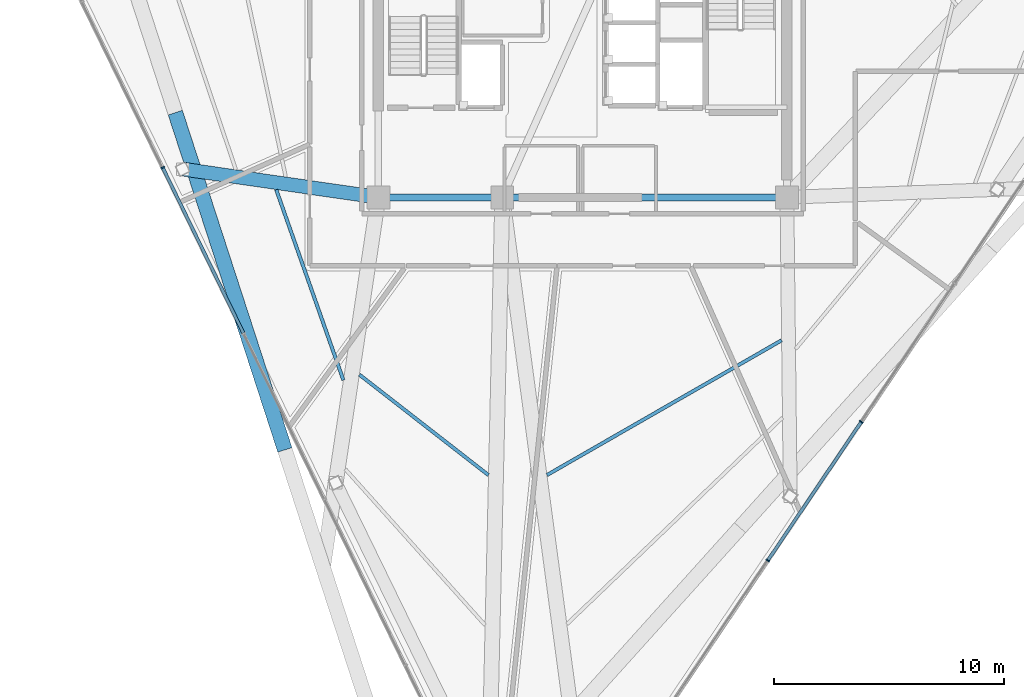
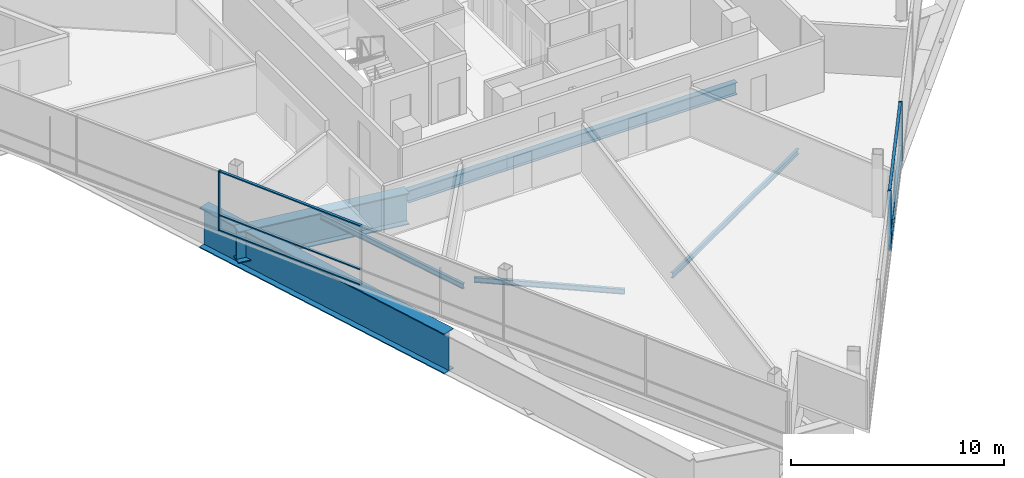
# One storey, part 3 of 14: 9 members, 7 beams, 2 elements without a shape of their own.
"""IFC4 building model written with IfcOpenShell, lengths in metres."""

from ifc_helpers import new_model, si_unit, direction, frame, origin, origin_2d, place, context, subcontext, project, spatial, rectangle, i_section, extrude, material, layer, layer_set, material_profile, profile_set, type_object, element, aggregate, save


model = new_model("IFC4")

# Units and contexts
model_context = context("Model", 3, precision=1e-05, world=origin(), true_north=direction((0.0, 1.0)))
body_context = subcontext(model_context, "Body", "Model", "MODEL_VIEW")
ifc_project = project(units=[si_unit("LENGTHUNIT", "METRE"), si_unit("AREAUNIT", "SQUARE_METRE"), si_unit("VOLUMEUNIT", "CUBIC_METRE"), si_unit("PLANEANGLEUNIT", "RADIAN"), si_unit("MASSUNIT", "GRAM", prefix="KILO")], contexts=[model_context])

# Site, building, storey
site_placement = place(None, origin())
site = spatial("IfcSite", under=ifc_project, at=site_placement, CompositionType="ELEMENT")
building_placement = place(site_placement, origin())
building = spatial("IfcBuilding", under=site, at=building_placement, Name="Tharavind Bronze Gate", CompositionType="ELEMENT")
storey_placement = place(building_placement, frame((0.0, 0.0, 227.050048828125)))
storey = spatial("IfcBuildingStorey", under=building, at=storey_placement, Name="L58", CompositionType="ELEMENT", Elevation=227.050048828125)

# Curtain wall, member
ifc_material_1 = material(Name="Anodised Bronze Aluminium", Category="aluminium")
ifc_layer = layer(ifc_material_1, 0.219970703125)
ifc_layer_set = layer_set([ifc_layer], Name="Anodised Bronze Aluminium")
curtain_wall_type = type_object("IfcCurtainWallType", Name="UNITISED CURTAIN WALL UPPER OFFICE", PredefinedType="USERDEFINED", material=ifc_layer_set)
curtain_wall_1_placement = place(storey_placement, origin())
curtain_wall_1 = element("IfcCurtainWall", 1, at=curtain_wall_1_placement, inside=storey, type_object=curtain_wall_type, Name="L58 unitised curtain wall upper office CW-L58-S1", ObjectType="UNITISED CURTAIN WALL", PredefinedType="USERDEFINED")
member_type_1 = type_object("IfcMemberType", Name="CURTAIN WALL BRONZE MULLION 65X180", PredefinedType="MULLION", material=ifc_material_1)
member_1_placement = place(storey_placement, frame((-18.289794921875, -6.308349609375, 0.0), z_axis=(0.0, 0.0, 1.0), x_axis=(0.438371146789, -0.898794046299, 0.0)))
member_1 = element("IfcMember", 2, at=member_1_placement, type_object=member_type_1, Name="CW-L58-S1 mullion 3", PredefinedType="MULLION", context=body_context, shape_type="SweptSolid", body=[
    extrude(rectangle(XDim=0.06494140625, YDim=0.179931640625, at=origin_2d()), origin(), (0.0, 0.0, 1.0), 3.419921875),
])

# Curtain wall, members
curtain_wall_2_placement = place(storey_placement, origin())
curtain_wall_2 = element("IfcCurtainWall", 3, at=curtain_wall_2_placement, inside=storey, type_object=curtain_wall_type, Name="L58 unitised curtain wall upper office CW-L58-S2", ObjectType="UNITISED CURTAIN WALL", PredefinedType="USERDEFINED")
member_2_placement = place(storey_placement, frame((8.06787109375, -23.4189453125, 0.0), z_axis=(0.0, 0.0, 1.0), x_axis=(0.559192903471, 0.829037572555, 0.0)))
member_2 = element("IfcMember", 4, at=member_2_placement, type_object=member_type_1, Name="CW-L58-S2 mullion 3", PredefinedType="MULLION", context=body_context, shape_type="SweptSolid", body=[
    extrude(rectangle(XDim=0.06494140625, YDim=0.179931640625, at=origin_2d()), origin(), (0.0, 0.0, 1.0), 3.419921875),
])
member_3_placement = place(storey_placement, frame((12.140380859375, -17.381103515625, 0.0), z_axis=(0.0, 0.0, 1.0), x_axis=(0.559192903471, 0.829037572555, 0.0)))
member_3 = element("IfcMember", 5, at=member_3_placement, type_object=member_type_1, Name="CW-L58-S2 mullion 4", PredefinedType="MULLION", context=body_context, shape_type="SweptSolid", body=[
    extrude(rectangle(XDim=0.06494140625, YDim=0.179931640625, at=origin_2d()), origin(), (0.0, 0.0, 1.0), 3.419921875),
])

# Member
member_type_2 = type_object("IfcMemberType", Name="CURTAIN WALL BRONZE TRANSOM 65X140", PredefinedType="USERDEFINED", material=ifc_material_1)
member_4_placement = place(storey_placement, frame((-16.528076171875, -9.920654296875, 0.0), z_axis=(0.0, 0.0, 1.0), x_axis=(0.438371146789, -0.898794046299, 0.0)))
member_4 = element("IfcMember", 6, at=member_4_placement, type_object=member_type_2, Name="CW-L58-S1 transom TB3", ObjectType="TRANSOM", PredefinedType="USERDEFINED", context=body_context, shape_type="SweptSolid", body=[
    extrude(rectangle(XDim=7.985107421875, YDim=0.139892578125, at=origin_2d()), origin(), (0.0, 0.0, 1.0), 0.06494140625),
])

member_5_placement = place(storey_placement, frame((-16.528076171875, -9.920654296875, 0.867431640625), z_axis=(0.0, 0.0, 1.0), x_axis=(0.438371146789, -0.898794046299, 0.0)))
member_5 = element("IfcMember", 7, at=member_5_placement, type_object=member_type_2, Name="CW-L58-S1 transom TS3", ObjectType="TRANSOM", PredefinedType="USERDEFINED", context=body_context, shape_type="SweptSolid", body=[
    extrude(rectangle(XDim=7.985107421875, YDim=0.139892578125, at=origin_2d()), origin(), (0.0, 0.0, 1.0), 0.06494140625),
])

member_6_placement = place(storey_placement, frame((-16.528076171875, -9.920654296875, 3.35498046875), z_axis=(0.0, 0.0, 1.0), x_axis=(0.438371146789, -0.898794046299, 0.0)))
member_6 = element("IfcMember", 8, at=member_6_placement, type_object=member_type_2, Name="CW-L58-S1 transom TT3", ObjectType="TRANSOM", PredefinedType="USERDEFINED", context=body_context, shape_type="SweptSolid", body=[
    extrude(rectangle(XDim=7.985107421875, YDim=0.139892578125, at=origin_2d()), origin(), (0.0, 0.0, 1.0), 0.06494140625),
])

aggregate(curtain_wall_1, [member_1, member_4, member_5, member_6])

member_7_placement = place(storey_placement, frame((10.10400390625, -20.39990234375, 0.0), z_axis=(0.0, 0.0, 1.0), x_axis=(0.559192903471, 0.829037572555, 0.0)))
member_7 = element("IfcMember", 9, at=member_7_placement, type_object=member_type_2, Name="CW-L58-S2 transom TB3", ObjectType="TRANSOM", PredefinedType="USERDEFINED", context=body_context, shape_type="SweptSolid", body=[
    extrude(rectangle(XDim=7.22998046875, YDim=0.139892578125, at=origin_2d()), origin(), (0.0, 0.0, 1.0), 0.06494140625),
])

member_8_placement = place(storey_placement, frame((10.10400390625, -20.39990234375, 0.867431640625), z_axis=(0.0, 0.0, 1.0), x_axis=(0.559192903471, 0.829037572555, 0.0)))
member_8 = element("IfcMember", 10, at=member_8_placement, type_object=member_type_2, Name="CW-L58-S2 transom TS3", ObjectType="TRANSOM", PredefinedType="USERDEFINED", context=body_context, shape_type="SweptSolid", body=[
    extrude(rectangle(XDim=7.22998046875, YDim=0.139892578125, at=origin_2d()), origin(), (0.0, 0.0, 1.0), 0.06494140625),
])

member_9_placement = place(storey_placement, frame((10.10400390625, -20.39990234375, 3.35498046875), z_axis=(0.0, 0.0, 1.0), x_axis=(0.559192903471, 0.829037572555, 0.0)))
member_9 = element("IfcMember", 11, at=member_9_placement, type_object=member_type_2, Name="CW-L58-S2 transom TT3", ObjectType="TRANSOM", PredefinedType="USERDEFINED", context=body_context, shape_type="SweptSolid", body=[
    extrude(rectangle(XDim=7.22998046875, YDim=0.139892578125, at=origin_2d()), origin(), (0.0, 0.0, 1.0), 0.06494140625),
])

aggregate(curtain_wall_2, [member_2, member_3, member_7, member_8, member_9])

# Beams
ifc_material_2 = material(Name="Steel S355", Category="steel")
ifc_material_profile_1 = material_profile(ifc_material_2, i_section(OverallWidth=0.300048828125, OverallDepth=0.699951171875, WebThickness=0.01708984375, FlangeThickness=0.031982421875, at=origin_2d()), Name="HE700B")
ifc_profile_set_1 = profile_set([ifc_material_profile_1], Name="Steel S355")
beam_type_1 = type_object("IfcBeamType", Name="RING GIRDER HE700B", PredefinedType="USERDEFINED", material=ifc_profile_set_1)
beam_1_placement = place(storey_placement, frame((-8.89990234375, -7.60009765625, -0.5400390625), z_axis=(1.0, 0.0, 0.0), x_axis=(0.0, 1.0, 0.0)))
element("IfcBeam", 12, at=beam_1_placement, inside=storey, type_object=beam_type_1, Name="L58 ring girder he700b BM-L58-CR1", ObjectType="GIRDER", PredefinedType="USERDEFINED", context=body_context, shape_type="SweptSolid", body=[
    extrude(i_section(OverallWidth=0.300048828125, OverallDepth=0.699951171875, WebThickness=0.01708984375, FlangeThickness=0.031982421875, at=origin_2d()), origin(), (0.0, 0.0, 1.0), 5.39990234375),
])
beam_2_placement = place(storey_placement, frame((-3.5, -7.60009765625, -0.5400390625), z_axis=(1.0, 0.0, 0.0), x_axis=(0.0, 1.0, 0.0)))
element("IfcBeam", 13, at=beam_2_placement, inside=storey, type_object=beam_type_1, Name="L58 ring girder he700b BM-L58-CR2", ObjectType="GIRDER", PredefinedType="USERDEFINED", context=body_context, shape_type="SweptSolid", body=[
    extrude(i_section(OverallWidth=0.300048828125, OverallDepth=0.699951171875, WebThickness=0.01708984375, FlangeThickness=0.031982421875, at=origin_2d()), origin(), (0.0, 0.0, 1.0), 12.39990234375),
])
ifc_material_profile_2 = material_profile(ifc_material_2, i_section(OverallWidth=0.14990234375, OverallDepth=0.300048828125, WebThickness=0.007080078125, FlangeThickness=0.0107421875, at=origin_2d()), Name="IPE300")
ifc_profile_set_2 = profile_set([ifc_material_profile_2], Name="Steel S355")
beam_type_2 = type_object("IfcBeamType", Name="SECONDARY FLOOR JOIST IPE300", PredefinedType="JOIST", material=ifc_profile_set_2)
beam_3_placement = place(storey_placement, frame((-13.347412109375, -7.264404296875, -0.340087890625), z_axis=(0.332590855564, -0.943071218305, 0.0), x_axis=(0.943071218305, 0.332590855564, 0.0)))
element("IfcBeam", 14, at=beam_3_placement, inside=storey, type_object=beam_type_2, Name="L58 secondary floor joist ipe300 BM-L58-JSTA02", PredefinedType="JOIST", context=body_context, shape_type="SweptSolid", body=[
    extrude(i_section(OverallWidth=0.14990234375, OverallDepth=0.300048828125, WebThickness=0.007080078125, FlangeThickness=0.0107421875, at=origin_2d()), origin(), (0.0, 0.0, 1.0), 8.80126953125),
])
beam_4_placement = place(storey_placement, frame((-9.721923828125, -15.326416015625, -0.340087890625), z_axis=(0.78916388663, -0.61418267644, 0.0), x_axis=(0.61418267644, 0.78916388663, 0.0)))
element("IfcBeam", 15, at=beam_4_placement, inside=storey, type_object=beam_type_2, Name="L58 secondary floor joist ipe300 BM-L58-JSTA03", PredefinedType="JOIST", context=body_context, shape_type="SweptSolid", body=[
    extrude(i_section(OverallWidth=0.14990234375, OverallDepth=0.300048828125, WebThickness=0.007080078125, FlangeThickness=0.0107421875, at=origin_2d()), origin(), (0.0, 0.0, 1.0), 7.121337890625),
])
beam_5_placement = place(storey_placement, frame((-1.5517578125, -19.6982421875, -0.340087890625), z_axis=(0.867200737253, 0.497958714462, 0.0), x_axis=(-0.497958714462, 0.867200737253, 0.0)))
element("IfcBeam", 16, at=beam_5_placement, inside=storey, type_object=beam_type_2, Name="L58 secondary floor joist ipe300 BM-L58-JSTA05", PredefinedType="JOIST", context=body_context, shape_type="SweptSolid", body=[
    extrude(i_section(OverallWidth=0.14990234375, OverallDepth=0.300048828125, WebThickness=0.007080078125, FlangeThickness=0.0107421875, at=origin_2d()), origin(), (0.0, 0.0, 1.0), 11.782470703125),
])
ifc_material_3 = material(Name="Steel S460", Category="steel")
ifc_material_profile_3 = material_profile(ifc_material_3, i_section(OverallWidth=0.60009765625, OverallDepth=1.800048828125, WebThickness=0.031982421875, FlangeThickness=0.054931640625, at=origin_2d()), Name="PG1800X600")
ifc_profile_set_3 = profile_set([ifc_material_profile_3], Name="Steel S460")
beam_type_3 = type_object("IfcBeamType", Name="TRANSFER GIRDER 1800X600", PredefinedType="USERDEFINED", material=ifc_profile_set_3)
beam_6_placement = place(storey_placement, frame((-8.89990234375, -7.60009765625, -1.090087890625), z_axis=(-0.989733524733, 0.142924980391, 0.0), x_axis=(-0.142924980391, -0.989733524733, 0.0)))
element("IfcBeam", 17, at=beam_6_placement, inside=storey, type_object=beam_type_3, Name="L58 transfer girder 1800x600 BM-L58-XFR02", ObjectType="TRANSFER GIRDER", PredefinedType="USERDEFINED", context=body_context, shape_type="SweptSolid", body=[
    extrude(i_section(OverallWidth=0.60009765625, OverallDepth=1.800048828125, WebThickness=0.031982421875, FlangeThickness=0.054931640625, at=origin_2d()), origin(), (0.0, 0.0, 1.0), 8.6142578125),
])
ifc_material_profile_4 = material_profile(ifc_material_3, i_section(OverallWidth=0.64990234375, OverallDepth=2.300048828125, WebThickness=0.035888671875, FlangeThickness=0.05810546875, at=origin_2d()), Name="PG2300X650")
ifc_profile_set_4 = profile_set([ifc_material_profile_4], Name="Steel S460")
beam_type_4 = type_object("IfcBeamType", Name="TRANSFER GIRDER 2300X650", PredefinedType="USERDEFINED", material=ifc_profile_set_4)
beam_7_placement = place(storey_placement, frame((-17.74267578125, -3.91259765625, -1.340087890625), z_axis=(0.309020307293, -0.951055439857, 0.0), x_axis=(0.951055439857, 0.309020307293, 0.0)))
element("IfcBeam", 18, at=beam_7_placement, inside=storey, type_object=beam_type_4, Name="L58 transfer girder 2300x650 BM-L58-LRG02", ObjectType="TRANSFER GIRDER", PredefinedType="USERDEFINED", context=body_context, shape_type="SweptSolid", body=[
    extrude(i_section(OverallWidth=0.64990234375, OverallDepth=2.300048828125, WebThickness=0.035888671875, FlangeThickness=0.05810546875, at=origin_2d()), origin(), (0.0, 0.0, 1.0), 15.4453125),
])

save(model, "model.ifc")
